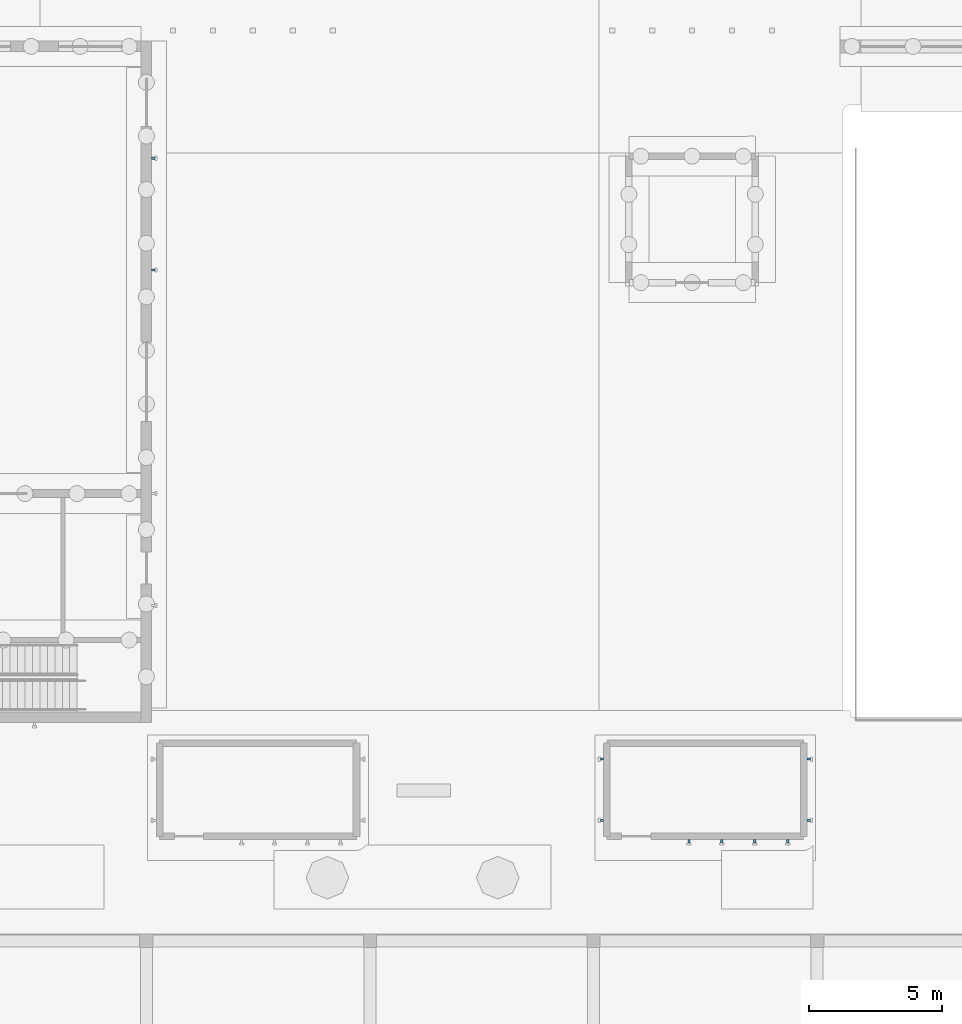
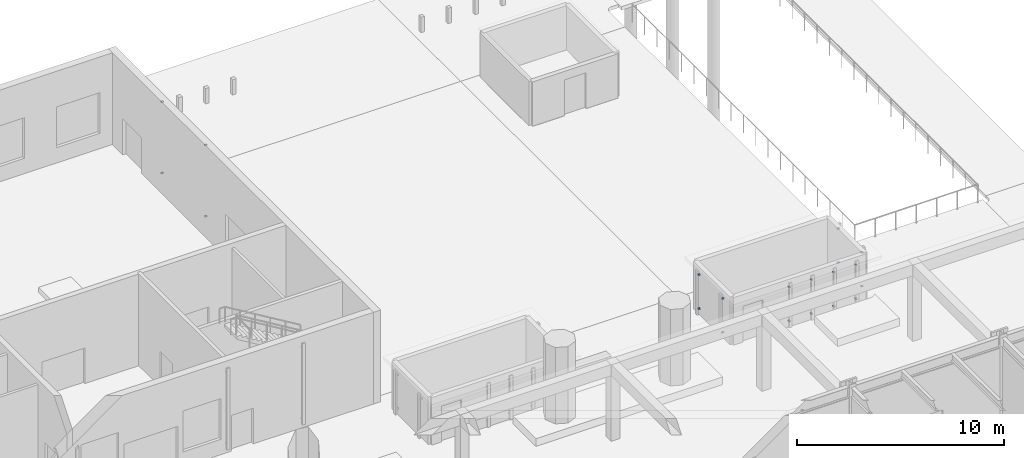
# One storey, part 93 of 127: 20 discrete accessories.
"""IFC4 building model written with IfcOpenShell, lengths in metres."""

import ifcopenshell
import ifcopenshell.guid

model = None  # the IFC model being written
_history = None  # IfcOwnerHistory: only IFC2X3 demands one
_inside = {}  # id of a spatial element -> (the spatial element, [elements in it])
_under = {}  # id of a project, library or spatial element -> (it, [spatial elements below it])
_declared = {}  # id of a project -> (the project, [libraries it declares])
_typed = {}  # id of a type object -> (the type object, [elements of that type])
_made_of = {}  # id of a material, layer set ... -> (it, [elements and type objects made of it])


def new_model(schema):
    """Start an empty IFC model of exactly this schema.

    Asked for "IFC4X3", IfcOpenShell would pick the latest addendum, in which some entities
    have other attributes; the version numbers below select the first issue.
    IFC2X3 requires an IfcOwnerHistory on every rooted entity: one is made here for all.
    """
    global model, _history
    if schema == "IFC4X3":
        model = ifcopenshell.file(schema_version=(4, 3, 0, 0))
    else:
        model = ifcopenshell.file(schema=schema)
    _inside.clear()
    _under.clear()
    _declared.clear()
    _typed.clear()
    _made_of.clear()
    _history = None
    if model.schema == "IFC2X3":
        org = make("IfcOrganization", Name="unknown")
        user = make(
            "IfcPersonAndOrganization",
            ThePerson=make("IfcPerson", FamilyName="unknown"),
            TheOrganization=org,
        )
        app = make(
            "IfcApplication",
            ApplicationDeveloper=org,
            Version="unknown",
            ApplicationFullName="unknown",
            ApplicationIdentifier="unknown",
        )
        _history = make(
            "IfcOwnerHistory",
            OwningUser=user,
            OwningApplication=app,
            ChangeAction="ADDED",
            CreationDate=0,
        )
    return model


def make(cls, **values):
    """One entity of the class cls with the attributes given. An attribute that is None is left unset."""
    return model.create_entity(
        cls, **{name: value for name, value in values.items() if value is not None}
    )


def rooted(cls, **values):
    """An entity with a GlobalId (a new one), such as an element, a storey or a relation."""
    return make(cls, GlobalId=ifcopenshell.guid.new(), OwnerHistory=_history, **values)


def si_unit(unit_type, name, prefix=None):
    """IfcSIUnit, for example si_unit("LENGTHUNIT", "METRE", prefix="MILLI")."""
    return make("IfcSIUnit", UnitType=unit_type, Prefix=prefix, Name=name)


def assignment(units):
    """IfcUnitAssignment: the units of a project."""
    return None if units is None else make("IfcUnitAssignment", Units=units)


def point(xyz):
    """IfcCartesianPoint."""
    return None if xyz is None else make("IfcCartesianPoint", Coordinates=xyz)


def direction(xyz):
    """IfcDirection."""
    return None if xyz is None else make("IfcDirection", DirectionRatios=xyz)


def frame(location, z_axis=None, x_axis=None):
    """IfcAxis2Placement3D, a coordinate frame: its origin and axes. An axis left out is left unset."""
    return make(
        "IfcAxis2Placement3D",
        Location=point(location),
        Axis=direction(z_axis),
        RefDirection=direction(x_axis),
    )


def frame_2d(location, x_axis=None):
    """IfcAxis2Placement2D, a coordinate frame in the plane: its origin and x axis."""
    return make(
        "IfcAxis2Placement2D", Location=point(location), RefDirection=direction(x_axis)
    )


def origin():
    """The frame at (0, 0, 0) with its axes left unset."""
    return frame((0.0, 0.0, 0.0))


def origin_2d():
    """The frame at (0, 0) in the plane with its x axis left unset."""
    return frame_2d((0.0, 0.0))


def place(relative_to, where):
    """IfcLocalPlacement: puts the frame where relative to a parent placement (None: the world)."""
    return make(
        "IfcLocalPlacement", PlacementRelTo=relative_to, RelativePlacement=where
    )


def context(
    kind, dimensions, precision=None, world=None, true_north=None, identifier=None
):
    """IfcGeometricRepresentationContext, for example the 3D "Model" context."""
    return make(
        "IfcGeometricRepresentationContext",
        ContextIdentifier=identifier,
        ContextType=kind,
        CoordinateSpaceDimension=dimensions,
        Precision=precision,
        WorldCoordinateSystem=world,
        TrueNorth=true_north,
    )


def subcontext(parent, identifier, kind, view, scale=None):
    """IfcGeometricRepresentationSubContext, for example "Body" below "Model"."""
    return make(
        "IfcGeometricRepresentationSubContext",
        ContextIdentifier=identifier,
        ContextType=kind,
        ParentContext=parent,
        TargetScale=scale,
        TargetView=view,
    )


def project(units=None, contexts=None):
    """IfcProject with its units and contexts."""
    return rooted(
        "IfcProject",
        Name="project",
        RepresentationContexts=contexts,
        UnitsInContext=assignment(units),
    )


def spatial(cls, under=None, at=None, **own):
    """A site, building, storey or space (cls), placed at a placement, below another one or the project."""
    s = rooted(cls, ObjectPlacement=at, **own)
    if under is not None:
        _under.setdefault(under.id(), (under, []))[1].append(s)
    return s


def profile(cls, at=None, kind="AREA", **sizes):
    """A parametric profile (cls). Its sizes go by their IFC names, for example OverallWidth=200.0."""
    return make(cls, ProfileType=kind, Position=at, **sizes)


def rectangle(**sizes):
    """IfcRectangleProfileDef."""
    return profile("IfcRectangleProfileDef", **sizes)


def extrude(swept, where, along, depth):
    """IfcExtrudedAreaSolid: the profile swept, set in the frame where, extruded along a direction by depth."""
    return make(
        "IfcExtrudedAreaSolid",
        SweptArea=swept,
        Position=where,
        ExtrudedDirection=direction(along),
        Depth=depth,
    )


def shape(context_of_items, identifier, shape_type, items):
    """IfcShapeRepresentation: the items that make up one representation, for example the "Body"."""
    return make(
        "IfcShapeRepresentation",
        ContextOfItems=context_of_items,
        RepresentationIdentifier=identifier,
        RepresentationType=shape_type,
        Items=items,
    )


def material(Name=None, Category=None):
    """IfcMaterial."""
    return make("IfcMaterial", Name=Name, Category=Category)


def made_of(thing, what):
    """Note that an element or type object is made of a material, layer set ...; save() writes the relation."""
    if what is not None:
        _made_of.setdefault(what.id(), (what, []))[1].append(thing)
    return thing


def type_object(cls, material=None, **own):
    """A type object (cls), such as IfcWallType, which elements share."""
    return made_of(rooted(cls, **own), material)


def element(
    cls,
    number,
    at=None,
    inside=None,
    cuts=None,
    type_object=None,
    material=None,
    context=None,
    identifier="Body",
    shape_type=None,
    held_by="IfcProductDefinitionShape",
    body=None,
    shapes=None,
    **own,
):
    """One element of the class cls, such as IfcWall. Its Tag is "e" and its number.

    at: its placement. inside: the storey or other place that contains it. cuts: it is an
    opening in that element (IfcRelVoidsElement). A single representation is given by context,
    identifier, shape_type and body (its items); several are given by shapes. held_by: the class
    of the entity that holds the representations. save() writes the other relations.
    """
    e = rooted(cls, Tag="e%d" % number, ObjectPlacement=at, **own)
    if body is not None:
        shapes = [shape(context, identifier, shape_type, body)]
    if shapes is not None:
        e.Representation = make(held_by, Representations=shapes)
    if inside is not None:
        _inside.setdefault(inside.id(), (inside, []))[1].append(e)
    if cuts is not None:
        rooted(
            "IfcRelVoidsElement", RelatingBuildingElement=cuts, RelatedOpeningElement=e
        )
    if type_object is not None:
        _typed.setdefault(type_object.id(), (type_object, []))[1].append(e)
    return made_of(e, material)


def aggregate(whole, parts):
    """IfcRelAggregates: a whole, such as a stair, and the parts it consists of."""
    return rooted("IfcRelAggregates", RelatingObject=whole, RelatedObjects=parts)


def save(model, path):
    """Write the relations noted so far, then the file.

    IfcRelAggregates (storeys below a building ...), IfcRelContainedInSpatialStructure (elements
    in a storey), IfcRelDefinesByType, IfcRelAssociatesMaterial and IfcRelDeclares: one each for
    every whole, place, type object, material and project.
    """
    for whole, parts in _under.values():
        aggregate(whole, parts)
    for where, things in _inside.values():
        rooted(
            "IfcRelContainedInSpatialStructure",
            RelatedElements=things,
            RelatingStructure=where,
        )
    for kind, things in _typed.values():
        rooted("IfcRelDefinesByType", RelatedObjects=things, RelatingType=kind)
    for what, things in _made_of.values():
        rooted("IfcRelAssociatesMaterial", RelatedObjects=things, RelatingMaterial=what)
    for by, libraries in _declared.values():
        rooted("IfcRelDeclares", RelatingContext=by, RelatedDefinitions=libraries)
    model.write(path)


model = new_model("IFC4")

# Units and contexts
model_context = context("Model", 3, precision=1e-05, world=origin(), true_north=direction((0.0, 1.0)))
body_context = subcontext(model_context, "Body", "Model", "MODEL_VIEW")
ifc_project = project(units=[si_unit("LENGTHUNIT", "METRE"), si_unit("AREAUNIT", "SQUARE_METRE"), si_unit("VOLUMEUNIT", "CUBIC_METRE"), si_unit("PLANEANGLEUNIT", "RADIAN"), si_unit("MASSUNIT", "GRAM", prefix="KILO")], contexts=[model_context])

# Site, building, storey
site_placement = place(None, origin())
site = spatial("IfcSite", under=ifc_project, at=site_placement, CompositionType="ELEMENT")
building_placement = place(site_placement, origin())
building = spatial("IfcBuilding", under=site, at=building_placement, Name="Ljudholm Concert House", CompositionType="ELEMENT")
storey_placement = place(building_placement, origin())
storey = spatial("IfcBuildingStorey", under=building, at=storey_placement, Name="L00", CompositionType="ELEMENT", Elevation=0.0)

# Discrete accessories
ifc_material = material(Name="Stainless steel bracket", Category="steel")
discrete_accessory_type = type_object("IfcDiscreteAccessoryType", Name="BRACKET 120", PredefinedType="BRACKET", material=ifc_material)
for number, where, z_axis, x_axis, name in (
    (1, (108.3779296875, 142.139892578125, 0.369873046875), (0.0, 0.0, 1.0), (0.0, -1.0, 0.0), "Fin bracket"),
    (2, (108.3779296875, 142.139892578125, 2.369873046875), (0.0, 0.0, 1.0), (0.0, -1.0, 0.0), "Fin bracket"),
    (3, (109.616943359375, 142.139892578125, 0.369873046875), (0.0, 0.0, 1.0), (0.0, -1.0, 0.0), "Fin bracket"),
    (4, (109.616943359375, 142.139892578125, 2.369873046875), (0.0, 0.0, 1.0), (0.0, -1.0, 0.0), "Fin bracket"),
    (5, (110.85595703125, 142.139892578125, 0.369873046875), (0.0, 0.0, 1.0), (0.0, -1.0, 0.0), "Fin bracket"),
    (6, (110.85595703125, 142.139892578125, 2.369873046875), (0.0, 0.0, 1.0), (0.0, -1.0, 0.0), "Fin bracket"),
    (7, (112.094970703125, 142.139892578125, 0.369873046875), (0.0, 0.0, 1.0), (0.0, -1.0, 0.0), "Fin bracket"),
    (8, (112.094970703125, 142.139892578125, 2.369873046875), (0.0, 0.0, 1.0), (0.0, -1.0, 0.0), "Fin bracket"),
    (9, (105.114990234375, 142.925048828125, 0.369873046875), (0.0, 0.0, 1.0), (-1.0, 0.0, 0.0), "Fin bracket"),
    (10, (105.114990234375, 142.925048828125, 2.369873046875), (0.0, 0.0, 1.0), (-1.0, 0.0, 0.0), "Fin bracket"),
    (11, (105.114990234375, 145.22509765625, 0.369873046875), (0.0, 0.0, 1.0), (-1.0, 0.0, 0.0), "Fin bracket"),
    (12, (105.114990234375, 145.22509765625, 2.369873046875), (0.0, 0.0, 1.0), (-1.0, 0.0, 0.0), "Fin bracket"),
    (13, (112.8798828125, 142.925048828125, 0.369873046875), (0.0, 0.0, 1.0), (1.0, 0.0, 0.0), "Fin bracket"),
    (14, (112.8798828125, 142.925048828125, 2.369873046875), (0.0, 0.0, 1.0), (1.0, 0.0, 0.0), "Fin bracket"),
    (15, (112.8798828125, 145.22509765625, 0.369873046875), (0.0, 0.0, 1.0), (1.0, 0.0, 0.0), "Fin bracket"),
    (16, (112.8798828125, 145.22509765625, 2.369873046875), (0.0, 0.0, 1.0), (1.0, 0.0, 0.0), "Fin bracket"),
    (17, (88.260009765625, 163.60009765625, 0.570068359375), (0.0, 0.0, 1.0), (1.0, 0.0, 0.0), "Fin bracket"),
    (18, (88.260009765625, 163.60009765625, 4.77001953125), (0.0, 0.0, 1.0), (1.0, 0.0, 0.0), "Fin bracket"),
    (19, (88.260009765625, 167.800048828125, 0.570068359375), (0.0, 0.0, 1.0), (1.0, 0.0, 0.0), "Fin bracket"),
    (20, (88.260009765625, 167.800048828125, 4.77001953125), (0.0, 0.0, 1.0), (1.0, 0.0, 0.0), "Fin bracket"),
):
    element("IfcDiscreteAccessory", number, at=place(storey_placement, frame(where, z_axis=z_axis, x_axis=x_axis)), inside=storey, type_object=discrete_accessory_type, Name=name, PredefinedType="BRACKET", context=body_context, shape_type="SweptSolid", body=[
        extrude(rectangle(XDim=0.1201171875, YDim=0.080078125, at=origin_2d()), origin(), (0.0, 0.0, 1.0), 0.06005859375),
    ])

save(model, "model.ifc")
